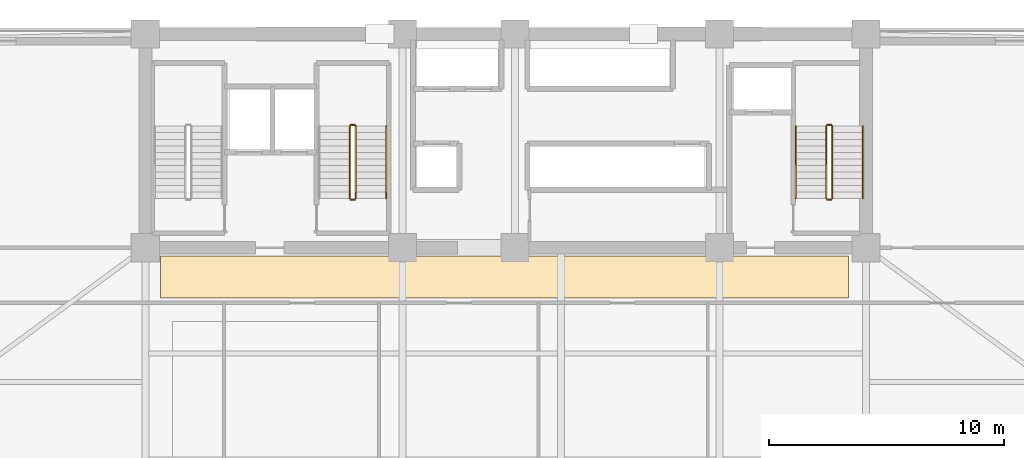
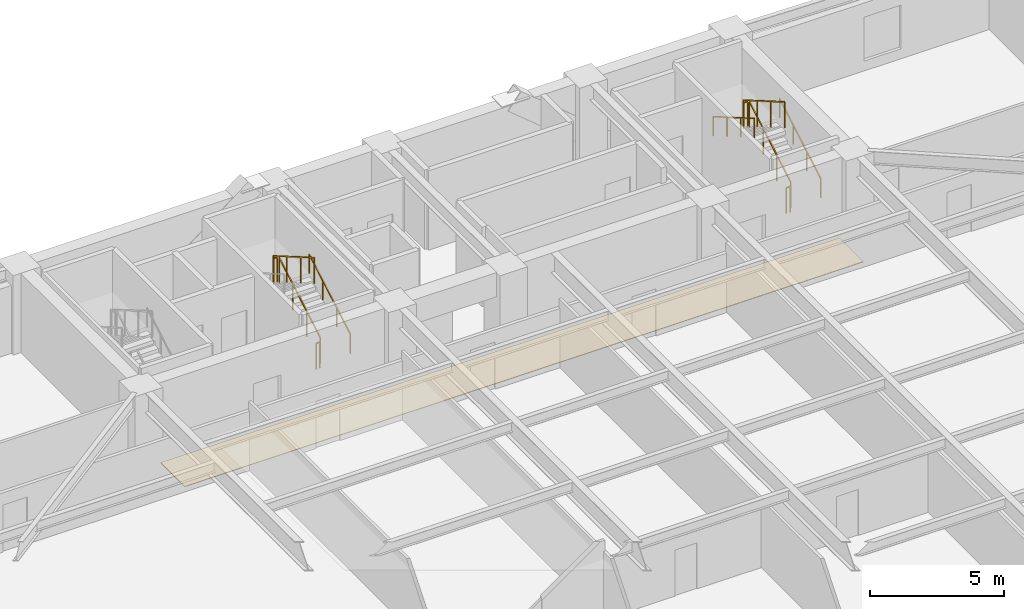
# One storey, part 15 of 16: 11 railings, 1 covering.
"""IFC4 building model written with IfcOpenShell, lengths in metres."""

from ifc_helpers import new_model, si_unit, direction, frame, origin, origin_2d, place, context, subcontext, project, spatial, polyline, rectangle, outline, extrude, material, layer, layer_set, type_object, element, save


model = new_model("IFC4")

# Units and contexts
model_context = context("Model", 3, precision=1e-05, world=origin(), true_north=direction((0.0, 1.0)))
body_context = subcontext(model_context, "Body", "Model", "MODEL_VIEW")
ifc_project = project(units=[si_unit("LENGTHUNIT", "METRE"), si_unit("AREAUNIT", "SQUARE_METRE"), si_unit("VOLUMEUNIT", "CUBIC_METRE"), si_unit("PLANEANGLEUNIT", "RADIAN"), si_unit("MASSUNIT", "GRAM", prefix="KILO")], contexts=[model_context])

# Site, building, storey
site_placement = place(None, origin())
site = spatial("IfcSite", under=ifc_project, at=site_placement, CompositionType="ELEMENT")
building_placement = place(site_placement, origin())
building = spatial("IfcBuilding", under=site, at=building_placement, Name="Giltprow Tower", CompositionType="ELEMENT")
storey_placement = place(building_placement, frame((0.0, 0.0, 91.300048828125)))
storey = spatial("IfcBuildingStorey", under=building, at=storey_placement, Name="L22", CompositionType="ELEMENT", Elevation=91.300048828125)

# Covering
ifc_material_1 = material(Name="Honed granite", Category="masonry")
ifc_layer = layer(ifc_material_1, 0.030029296875, Name="Honed granite")
ifc_layer_set = layer_set([ifc_layer], Name="Honed granite")
covering_type = type_object("IfcCoveringType", Name="COV-FLR-STONE", PredefinedType="FLOORING", material=ifc_layer_set)
covering_placement = place(storey_placement, origin())
element("IfcCovering", 1, at=covering_placement, inside=storey, type_object=covering_type, Name="L22 Office Corridor Stone Flooring", PredefinedType="FLOORING", context=body_context, shape_type="SweptSolid", body=[
    extrude(outline(polyline([(20.5, 35.300048828125), (49.800048828125, 35.300048828125), (49.800048828125, 37.10009765625), (20.5, 37.10009765625), (20.5, 35.300048828125)])), origin(), (0.0, 0.0, 1.0), 0.030029296875),
])

# Railings
ifc_material_2 = material(Name="Anodized bronze", Category="metal")
railing_type_1 = type_object("IfcRailingType", Name="RAIL-STAIR-GUARD-1200", PredefinedType="GUARDRAIL", material=ifc_material_2)
railing_1_placement = place(storey_placement, frame((28.81005859375, 39.550048828125, 0.162353515625)))
element("IfcRailing", 2, at=railing_1_placement, inside=storey, type_object=railing_type_1, Name="L22 ST-2 stair guard 1", PredefinedType="GUARDRAIL", context=body_context, shape_type="SweptSolid", body=[
    extrude(rectangle(XDim=0.048095703125, YDim=0.048095703125, at=origin_2d()), frame((0.0, 0.0, 1.17578125), z_axis=(0.0, 0.864873446163, 0.501989962173), x_axis=(-1.0, 0.0, 0.0)), (0.0, 0.0, 1.0), 3.56103515625),
    extrude(rectangle(XDim=0.0419921875, YDim=0.0419921875, at=origin_2d()), origin(), (0.0, 0.0, 1.0), 1.15185546875),
    extrude(rectangle(XDim=0.0419921875, YDim=0.0419921875, at=origin_2d()), frame((0.0, 1.026611328125, 0.595947265625)), (0.0, 0.0, 1.0), 1.15185546875),
    extrude(rectangle(XDim=0.0419921875, YDim=0.0419921875, at=origin_2d()), frame((0.0, 2.05322265625, 1.191650390625)), (0.0, 0.0, 1.0), 1.15185546875),
    extrude(rectangle(XDim=0.0419921875, YDim=0.0419921875, at=origin_2d()), frame((0.0, 3.079833984375, 1.78759765625)), (0.0, 0.0, 1.0), 1.15185546875),
])
railing_2_placement = place(storey_placement, frame((28.760009765625, 42.679931640625, 1.949951171875)))
element("IfcRailing", 3, at=railing_2_placement, inside=storey, type_object=railing_type_1, Name="L22 ST-2 stair guard 2", PredefinedType="GUARDRAIL", context=body_context, shape_type="SweptSolid", body=[
    extrude(rectangle(XDim=0.048095703125, YDim=0.048095703125, at=origin_2d()), frame((0.0, 0.0, 1.17578125), z_axis=(-1.0, 0.0, 0.0), x_axis=(0.0, -1.0, 0.0)), (0.0, 0.0, 1.0), 0.159912109375),
    extrude(rectangle(XDim=0.0419921875, YDim=0.0419921875, at=origin_2d()), origin(), (0.0, 0.0, 1.0), 1.15185546875),
    extrude(rectangle(XDim=0.0419921875, YDim=0.0419921875, at=origin_2d()), frame((-0.159912109375, 0.0, 0.0)), (0.0, 0.0, 1.0), 1.15185546875),
])
railing_3_placement = place(storey_placement, frame((28.550048828125, 42.6298828125, 2.112548828125)))
element("IfcRailing", 4, at=railing_3_placement, inside=storey, type_object=railing_type_1, Name="L22 ST-2 stair guard 3", PredefinedType="GUARDRAIL", context=body_context, shape_type="SweptSolid", body=[
    extrude(rectangle(XDim=0.048095703125, YDim=0.048095703125, at=origin_2d()), frame((0.0, 0.0, 1.17578125), z_axis=(0.0, -0.864903211148, 0.501938676878), x_axis=(1.0, 0.0, 0.0)), (0.0, 0.0, 1.0), 3.560791015625),
    extrude(rectangle(XDim=0.0419921875, YDim=0.0419921875, at=origin_2d()), origin(), (0.0, 0.0, 1.0), 1.15185546875),
    extrude(rectangle(XDim=0.0419921875, YDim=0.0419921875, at=origin_2d()), frame((0.0, -1.026611328125, 0.595703125)), (0.0, 0.0, 1.0), 1.15185546875),
    extrude(rectangle(XDim=0.0419921875, YDim=0.0419921875, at=origin_2d()), frame((0.0, -2.05322265625, 1.191650390625)), (0.0, 0.0, 1.0), 1.15185546875),
    extrude(rectangle(XDim=0.0419921875, YDim=0.0419921875, at=origin_2d()), frame((0.0, -3.079833984375, 1.787353515625)), (0.0, 0.0, 1.0), 1.15185546875),
])
railing_4_placement = place(storey_placement, frame((28.760009765625, 39.5, 0.0)))
element("IfcRailing", 5, at=railing_4_placement, inside=storey, type_object=railing_type_1, Name="L22 ST-2 stair guard 4", PredefinedType="GUARDRAIL", context=body_context, shape_type="SweptSolid", body=[
    extrude(rectangle(XDim=0.048095703125, YDim=0.048095703125, at=origin_2d()), frame((0.0, 0.0, 1.17578125), z_axis=(-1.0, 0.0, 0.0), x_axis=(0.0, -1.0, 0.0)), (0.0, 0.0, 1.0), 0.159912109375),
    extrude(rectangle(XDim=0.0419921875, YDim=0.0419921875, at=origin_2d()), origin(), (0.0, 0.0, 1.0), 1.15185546875),
    extrude(rectangle(XDim=0.0419921875, YDim=0.0419921875, at=origin_2d()), frame((-0.159912109375, 0.0, 0.0)), (0.0, 0.0, 1.0), 1.15185546875),
])
railing_5_placement = place(storey_placement, frame((49.110107421875, 39.550048828125, 0.162353515625)))
element("IfcRailing", 6, at=railing_5_placement, inside=storey, type_object=railing_type_1, Name="L22 ST-3 stair guard 1", PredefinedType="GUARDRAIL", context=body_context, shape_type="SweptSolid", body=[
    extrude(rectangle(XDim=0.048095703125, YDim=0.048095703125, at=origin_2d()), frame((0.0, 0.0, 1.17578125), z_axis=(0.0, 0.864873446163, 0.501989962173), x_axis=(-1.0, 0.0, 0.0)), (0.0, 0.0, 1.0), 3.56103515625),
    extrude(rectangle(XDim=0.0419921875, YDim=0.0419921875, at=origin_2d()), origin(), (0.0, 0.0, 1.0), 1.15185546875),
    extrude(rectangle(XDim=0.0419921875, YDim=0.0419921875, at=origin_2d()), frame((0.0, 1.026611328125, 0.595947265625)), (0.0, 0.0, 1.0), 1.15185546875),
    extrude(rectangle(XDim=0.0419921875, YDim=0.0419921875, at=origin_2d()), frame((0.0, 2.05322265625, 1.191650390625)), (0.0, 0.0, 1.0), 1.15185546875),
    extrude(rectangle(XDim=0.0419921875, YDim=0.0419921875, at=origin_2d()), frame((0.0, 3.079833984375, 1.78759765625)), (0.0, 0.0, 1.0), 1.15185546875),
])
railing_6_placement = place(storey_placement, frame((49.06005859375, 42.679931640625, 1.949951171875)))
element("IfcRailing", 7, at=railing_6_placement, inside=storey, type_object=railing_type_1, Name="L22 ST-3 stair guard 2", PredefinedType="GUARDRAIL", context=body_context, shape_type="SweptSolid", body=[
    extrude(rectangle(XDim=0.048095703125, YDim=0.048095703125, at=origin_2d()), frame((0.0, 0.0, 1.17578125), z_axis=(-1.0, 0.0, 0.0), x_axis=(0.0, -1.0, 0.0)), (0.0, 0.0, 1.0), 0.16015625),
    extrude(rectangle(XDim=0.0419921875, YDim=0.0419921875, at=origin_2d()), origin(), (0.0, 0.0, 1.0), 1.15185546875),
    extrude(rectangle(XDim=0.0419921875, YDim=0.0419921875, at=origin_2d()), frame((-0.16015625, 0.0, 0.0)), (0.0, 0.0, 1.0), 1.15185546875),
])
railing_7_placement = place(storey_placement, frame((48.85009765625, 42.6298828125, 2.112548828125)))
element("IfcRailing", 8, at=railing_7_placement, inside=storey, type_object=railing_type_1, Name="L22 ST-3 stair guard 3", PredefinedType="GUARDRAIL", context=body_context, shape_type="SweptSolid", body=[
    extrude(rectangle(XDim=0.048095703125, YDim=0.048095703125, at=origin_2d()), frame((0.0, 0.0, 1.17578125), z_axis=(0.0, -0.864903211148, 0.501938676878), x_axis=(1.0, 0.0, 0.0)), (0.0, 0.0, 1.0), 3.560791015625),
    extrude(rectangle(XDim=0.0419921875, YDim=0.0419921875, at=origin_2d()), origin(), (0.0, 0.0, 1.0), 1.15185546875),
    extrude(rectangle(XDim=0.0419921875, YDim=0.0419921875, at=origin_2d()), frame((0.0, -1.026611328125, 0.595703125)), (0.0, 0.0, 1.0), 1.15185546875),
    extrude(rectangle(XDim=0.0419921875, YDim=0.0419921875, at=origin_2d()), frame((0.0, -2.05322265625, 1.191650390625)), (0.0, 0.0, 1.0), 1.15185546875),
    extrude(rectangle(XDim=0.0419921875, YDim=0.0419921875, at=origin_2d()), frame((0.0, -3.079833984375, 1.787353515625)), (0.0, 0.0, 1.0), 1.15185546875),
])
railing_8_placement = place(storey_placement, frame((49.06005859375, 39.5, 0.0)))
element("IfcRailing", 9, at=railing_8_placement, inside=storey, type_object=railing_type_1, Name="L22 ST-3 stair guard 4", PredefinedType="GUARDRAIL", context=body_context, shape_type="SweptSolid", body=[
    extrude(rectangle(XDim=0.048095703125, YDim=0.048095703125, at=origin_2d()), frame((0.0, 0.0, 1.17578125), z_axis=(-1.0, 0.0, 0.0), x_axis=(0.0, -1.0, 0.0)), (0.0, 0.0, 1.0), 0.16015625),
    extrude(rectangle(XDim=0.0419921875, YDim=0.0419921875, at=origin_2d()), origin(), (0.0, 0.0, 1.0), 1.15185546875),
    extrude(rectangle(XDim=0.0419921875, YDim=0.0419921875, at=origin_2d()), frame((-0.16015625, 0.0, 0.0)), (0.0, 0.0, 1.0), 1.15185546875),
])
railing_type_2 = type_object("IfcRailingType", Name="RAIL-STAIR-HAND-900", PredefinedType="HANDRAIL", material=ifc_material_2)
for number, where, name in (
    (10, (30.110107421875, 39.550048828125, 0.162353515625), "L22 ST-2 stair handrail 1"),
    (11, (50.409912109375, 39.550048828125, 0.162353515625), "L22 ST-3 stair handrail 1"),
):
    element("IfcRailing", number, at=place(storey_placement, frame(where)), inside=storey, type_object=railing_type_2, Name=name, PredefinedType="HANDRAIL", context=body_context, shape_type="SweptSolid", body=[
        extrude(rectangle(XDim=0.048095703125, YDim=0.048095703125, at=origin_2d()), frame((0.0, 0.0, 0.8759765625), z_axis=(0.0, 0.864873446163, 0.501989962173), x_axis=(-1.0, 0.0, 0.0)), (0.0, 0.0, 1.0), 3.56103515625),
        extrude(rectangle(XDim=0.0419921875, YDim=0.0419921875, at=origin_2d()), origin(), (0.0, 0.0, 1.0), 0.851806640625),
        extrude(rectangle(XDim=0.0419921875, YDim=0.0419921875, at=origin_2d()), frame((0.0, 1.026611328125, 0.595947265625)), (0.0, 0.0, 1.0), 0.851806640625),
        extrude(rectangle(XDim=0.0419921875, YDim=0.0419921875, at=origin_2d()), frame((0.0, 2.05322265625, 1.191650390625)), (0.0, 0.0, 1.0), 0.851806640625),
        extrude(rectangle(XDim=0.0419921875, YDim=0.0419921875, at=origin_2d()), frame((0.0, 3.079833984375, 1.78759765625)), (0.0, 0.0, 1.0), 0.851806640625),
    ])
railing_9_placement = place(storey_placement, frame((47.550048828125, 42.6298828125, 2.112548828125)))
element("IfcRailing", 12, at=railing_9_placement, inside=storey, type_object=railing_type_2, Name="L22 ST-3 stair handrail 2", PredefinedType="HANDRAIL", context=body_context, shape_type="SweptSolid", body=[
    extrude(rectangle(XDim=0.048095703125, YDim=0.048095703125, at=origin_2d()), frame((0.0, 0.0, 0.8759765625), z_axis=(0.0, -0.864903211148, 0.501938676878), x_axis=(1.0, 0.0, 0.0)), (0.0, 0.0, 1.0), 3.560791015625),
    extrude(rectangle(XDim=0.0419921875, YDim=0.0419921875, at=origin_2d()), origin(), (0.0, 0.0, 1.0), 0.851806640625),
    extrude(rectangle(XDim=0.0419921875, YDim=0.0419921875, at=origin_2d()), frame((0.0, -1.026611328125, 0.595703125)), (0.0, 0.0, 1.0), 0.851806640625),
    extrude(rectangle(XDim=0.0419921875, YDim=0.0419921875, at=origin_2d()), frame((0.0, -2.05322265625, 1.191650390625)), (0.0, 0.0, 1.0), 0.851806640625),
    extrude(rectangle(XDim=0.0419921875, YDim=0.0419921875, at=origin_2d()), frame((0.0, -3.079833984375, 1.787353515625)), (0.0, 0.0, 1.0), 0.851806640625),
])

save(model, "model.ifc")
